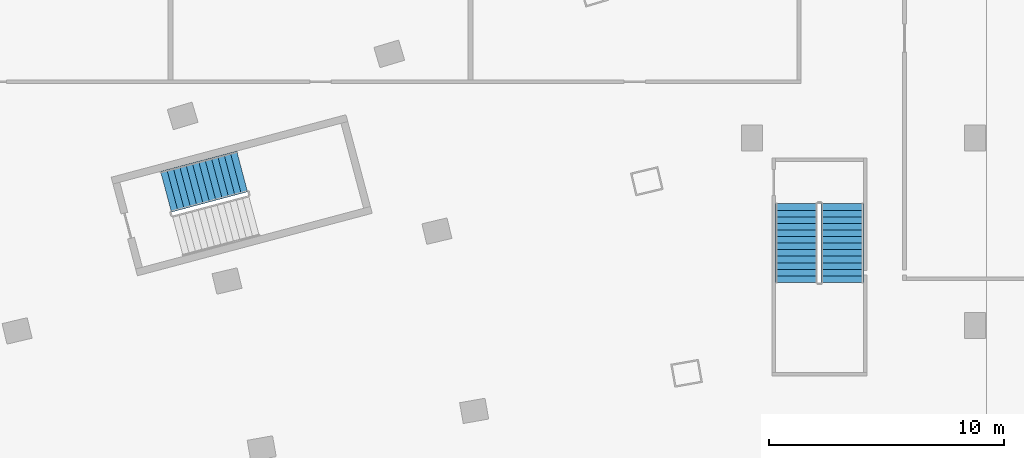
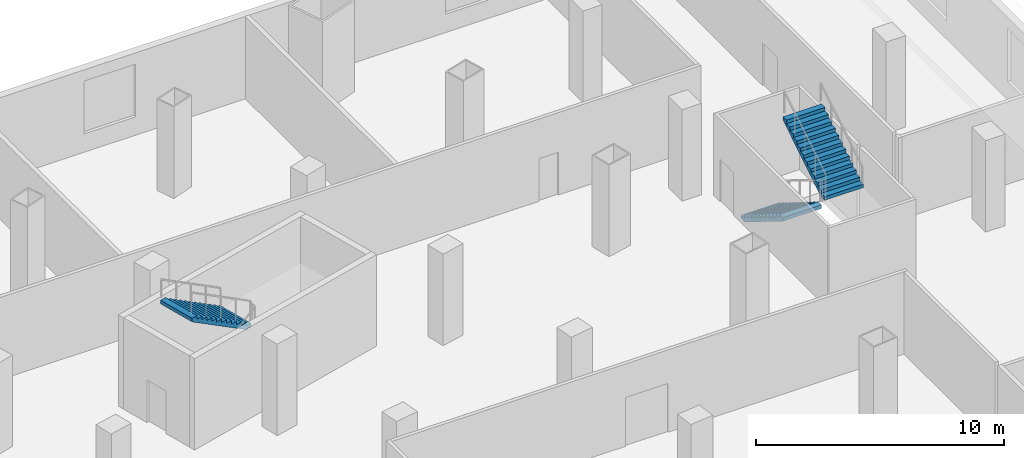
# One storey, part 11 of 16: 3 stair flights, 2 elements without a shape of their own.
"""IFC4 building model written with IfcOpenShell, lengths in metres."""

from ifc_helpers import new_model, si_unit, direction, frame, origin, place, context, subcontext, project, spatial, polyline, outline, extrude, material, layer, layer_set, type_object, element, aggregate, save


model = new_model("IFC4")

# Units and contexts
model_context = context("Model", 3, precision=1e-05, world=origin(), true_north=direction((0.0, 1.0)))
body_context = subcontext(model_context, "Body", "Model", "MODEL_VIEW")
ifc_project = project(units=[si_unit("LENGTHUNIT", "METRE"), si_unit("AREAUNIT", "SQUARE_METRE"), si_unit("VOLUMEUNIT", "CUBIC_METRE"), si_unit("PLANEANGLEUNIT", "RADIAN"), si_unit("MASSUNIT", "GRAM", prefix="KILO")], contexts=[model_context])

# Site, building, storey
site_placement = place(None, origin())
site = spatial("IfcSite", under=ifc_project, at=site_placement, CompositionType="ELEMENT")
building_placement = place(site_placement, origin())
building = spatial("IfcBuilding", under=site, at=building_placement, Name="Alderwake Tower", CompositionType="ELEMENT")
storey_placement = place(building_placement, frame((0.0, 0.0, 18.5)))
storey = spatial("IfcBuildingStorey", under=building, at=storey_placement, Name="L03", CompositionType="ELEMENT", Elevation=18.5)

# Stair, stair flight
ifc_material_1 = material(Name="Concrete C40/50", Category="concrete")
stair_type_1 = type_object("IfcStairType", Name="Core exit stair", PredefinedType="HALF_TURN_STAIR", material=ifc_material_1)
stair_1_placement = place(storey_placement, origin())
stair_1 = element("IfcStair", 1, at=stair_1_placement, inside=storey, type_object=stair_type_1, Name="L03 Exit Stair A", PredefinedType="HALF_TURN_STAIR")
ifc_material_2 = material(Name="Concrete C40/50", Category="concrete")
ifc_layer = layer(ifc_material_2, 0.14990234375)
ifc_layer_set = layer_set([ifc_layer], Name="Core stair flight")
stair_flight_type = type_object("IfcStairFlightType", Name="Core stair flight", PredefinedType="STRAIGHT", material=ifc_layer_set)
stair_flight_1_placement = place(storey_placement, frame((42.2578125, 94.572998046875, 2.25), z_axis=(0.0, 0.0, 1.0), x_axis=(-0.966309627437, -0.257382407951, 0.0)))
stair_flight_1 = element("IfcStairFlight", 2, at=stair_flight_1_placement, type_object=stair_flight_type, Name="ST-A flight 2", NumberOfRisers=13, NumberOfTreads=12, PredefinedType="STRAIGHT", RiserHeight=0.173076923, TreadLength=0.28, context=body_context, shape_type="SweptSolid", body=[
    extrude(outline(polyline([(0.0, 0.0), (0.0, 0.173095703125), (0.280029296875, 0.173095703125), (0.280029296875, 0.34619140625), (0.56005859375, 0.34619140625), (0.56005859375, 0.519287109375), (0.840087890625, 0.519287109375), (0.840087890625, 0.6923828125), (1.1201171875, 0.6923828125), (1.1201171875, 0.865478515625), (1.39990234375, 0.865478515625), (1.39990234375, 1.03857421875), (1.679931640625, 1.03857421875), (1.679931640625, 1.21142578125), (1.9599609375, 1.21142578125), (1.9599609375, 1.384521484375), (2.239990234375, 1.384521484375), (2.239990234375, 1.5576171875), (2.52001953125, 1.5576171875), (2.52001953125, 1.730712890625), (2.800048828125, 1.730712890625), (2.800048828125, 1.90380859375), (3.080078125, 1.90380859375), (3.080078125, 2.076904296875), (3.360107421875, 2.076904296875), (3.360107421875, 2.25), (3.360107421875, 1.900634765625), (0.28515625, 0.0), (0.0, 0.0)])), frame((0.0, 0.89990234375, 0.0), z_axis=(0.0, -1.0, 0.0), x_axis=(1.0, 0.0, 0.0)), (0.0, 0.0, 1.0), 1.800048828125),
])
aggregate(stair_1, [stair_flight_1])

# Stair, stair flights
ifc_material_3 = material(Name="Concrete C40/50", Category="concrete")
stair_type_2 = type_object("IfcStairType", Name="Exit stair 1800 half-turn", PredefinedType="HALF_TURN_STAIR", material=ifc_material_3)
stair_2_placement = place(storey_placement, origin())
stair_2 = element("IfcStair", 3, at=stair_2_placement, inside=storey, type_object=stair_type_2, Name="L03 Podium stair P3", PredefinedType="HALF_TURN_STAIR")
stair_flight_2_placement = place(storey_placement, frame((65.89990234375, 93.199951171875, 0.0), z_axis=(0.0, 0.0, 1.0), x_axis=(0.0, -1.0, 0.0)))
stair_flight_2 = element("IfcStairFlight", 4, at=stair_flight_2_placement, type_object=stair_flight_type, Name="ST-P3 flight 1", NumberOfRisers=13, NumberOfTreads=12, PredefinedType="STRAIGHT", RiserHeight=0.173076923, TreadLength=0.28, context=body_context, shape_type="SweptSolid", body=[
    extrude(outline(polyline([(0.0, 0.0), (0.0, 0.173095703125), (0.280029296875, 0.173095703125), (0.280029296875, 0.34619140625), (0.56005859375, 0.34619140625), (0.56005859375, 0.519287109375), (0.840087890625, 0.519287109375), (0.840087890625, 0.6923828125), (1.1201171875, 0.6923828125), (1.1201171875, 0.865478515625), (1.39990234375, 0.865478515625), (1.39990234375, 1.03857421875), (1.679931640625, 1.03857421875), (1.679931640625, 1.21142578125), (1.9599609375, 1.21142578125), (1.9599609375, 1.384521484375), (2.239990234375, 1.384521484375), (2.239990234375, 1.5576171875), (2.52001953125, 1.5576171875), (2.52001953125, 1.730712890625), (2.800048828125, 1.730712890625), (2.800048828125, 1.90380859375), (3.080078125, 1.90380859375), (3.080078125, 2.076904296875), (3.360107421875, 2.076904296875), (3.360107421875, 2.25), (3.360107421875, 1.900634765625), (0.28515625, 0.0), (0.0, 0.0)])), frame((0.0, 0.89990234375, 0.0), z_axis=(0.0, -1.0, 0.0), x_axis=(1.0, 0.0, 0.0)), (0.0, 0.0, 1.0), 1.800048828125),
])
stair_flight_3_placement = place(storey_placement, frame((67.85009765625, 89.840087890625, 2.25), z_axis=(0.0, 0.0, 1.0), x_axis=(0.0, 1.0, 0.0)))
stair_flight_3 = element("IfcStairFlight", 5, at=stair_flight_3_placement, type_object=stair_flight_type, Name="ST-P3 flight 2", NumberOfRisers=13, NumberOfTreads=12, PredefinedType="STRAIGHT", RiserHeight=0.173076923, TreadLength=0.28, context=body_context, shape_type="SweptSolid", body=[
    extrude(outline(polyline([(0.0, 0.0), (0.0, 0.173095703125), (0.280029296875, 0.173095703125), (0.280029296875, 0.34619140625), (0.56005859375, 0.34619140625), (0.56005859375, 0.519287109375), (0.840087890625, 0.519287109375), (0.840087890625, 0.6923828125), (1.1201171875, 0.6923828125), (1.1201171875, 0.865478515625), (1.39990234375, 0.865478515625), (1.39990234375, 1.03857421875), (1.679931640625, 1.03857421875), (1.679931640625, 1.21142578125), (1.9599609375, 1.21142578125), (1.9599609375, 1.384521484375), (2.239990234375, 1.384521484375), (2.239990234375, 1.5576171875), (2.52001953125, 1.5576171875), (2.52001953125, 1.730712890625), (2.800048828125, 1.730712890625), (2.800048828125, 1.90380859375), (3.080078125, 1.90380859375), (3.080078125, 2.076904296875), (3.360107421875, 2.076904296875), (3.360107421875, 2.25), (3.360107421875, 1.900634765625), (0.28515625, 0.0), (0.0, 0.0)])), frame((0.0, 0.89990234375, 0.0), z_axis=(0.0, -1.0, 0.0), x_axis=(1.0, 0.0, 0.0)), (0.0, 0.0, 1.0), 1.800048828125),
])
aggregate(stair_2, [stair_flight_2, stair_flight_3])

save(model, "model.ifc")
